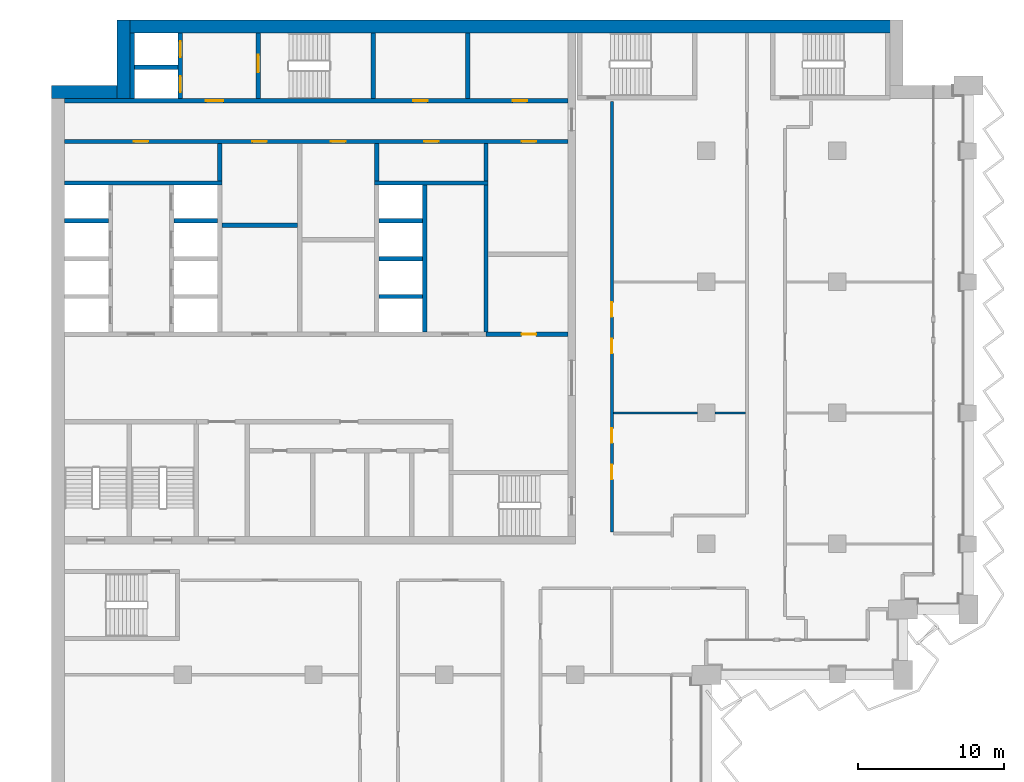
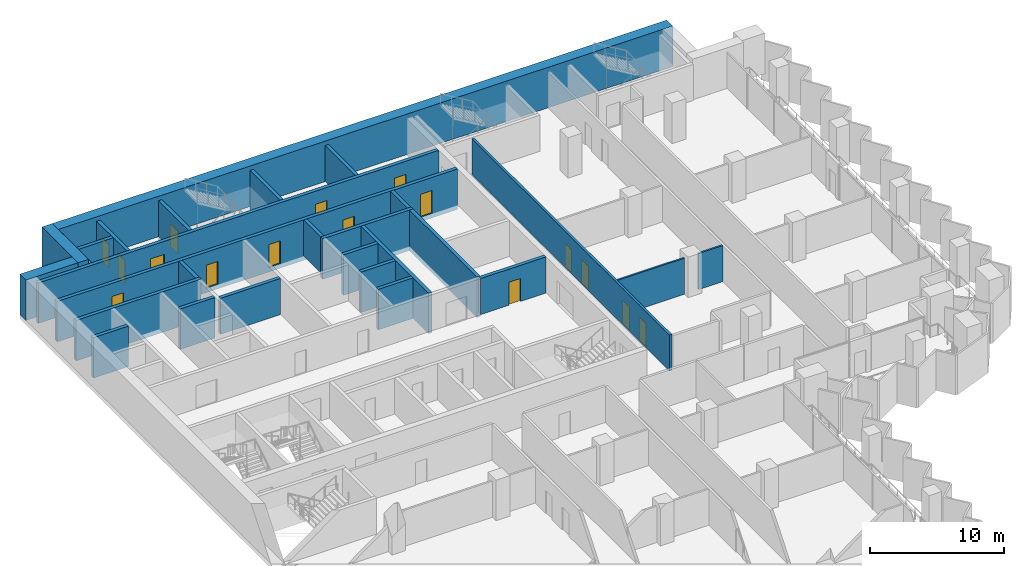
# One storey, part 14 of 23: 28 walls, 16 doors, 16 openings.
"""IFC4 building model written with IfcOpenShell, lengths in metres."""

from ifc_helpers import new_model, si_unit, direction, frame, frame_2d, origin, place, context, subcontext, project, spatial, rectangle, extrude, material, layer, layer_set, type_object, element, fill, save


model = new_model("IFC4")

# Units and contexts
model_context = context("Model", 3, precision=1e-05, world=origin(), true_north=direction((0.0, 1.0)))
body_context = subcontext(model_context, "Body", "Model", "MODEL_VIEW")
ifc_project = project(units=[si_unit("LENGTHUNIT", "METRE"), si_unit("AREAUNIT", "SQUARE_METRE"), si_unit("VOLUMEUNIT", "CUBIC_METRE"), si_unit("PLANEANGLEUNIT", "RADIAN"), si_unit("MASSUNIT", "GRAM", prefix="KILO")], contexts=[model_context])

# Site, building, storey
site_placement = place(None, origin())
site = spatial("IfcSite", under=ifc_project, at=site_placement, CompositionType="ELEMENT")
building_placement = place(site_placement, origin())
building = spatial("IfcBuilding", under=site, at=building_placement, Name="Hunhe Ridgeline Campus", CompositionType="ELEMENT")
storey_placement = place(building_placement, frame((0.0, 0.0, 167.10009765625)))
storey = spatial("IfcBuildingStorey", under=building, at=storey_placement, Name="L42", CompositionType="ELEMENT", Elevation=167.10009765625)

# Wall, opening, door
ifc_material_1 = material(Name="Masonry concrete blockwork", Category="masonry")
ifc_layer_1 = layer(ifc_material_1, 0.300048828125)
ifc_layer_set_1 = layer_set([ifc_layer_1], Name="Core room partition 300 concrete block")
wall_type_1 = type_object("IfcWallType", Name="Core room partition 300 concrete block", PredefinedType="PARTITIONING", material=ifc_layer_set_1)
wall_1_placement = place(storey_placement, frame((29.85009765625, 77.39990234375, 0.0), z_axis=(0.0, 0.0, 1.0), x_axis=(1.0, 0.0, 0.0)))
wall_1 = element("IfcWall", 1, at=wall_1_placement, inside=storey, type_object=wall_type_1, Name="L42 core partition 13", PredefinedType="PARTITIONING", context=body_context, shape_type="SweptSolid", body=[
    extrude(rectangle(XDim=5.64990234375, YDim=0.300048828125, at=frame_2d((2.824951171875, 0.0))), origin(), (0.0, 0.0, 1.0), 3.2998046875),
])
opening_1_placement = place(wall_1_placement, frame((2.449951171875, 0.0, 0.0)))
opening_1 = element("IfcOpeningElement", 2, at=opening_1_placement, cuts=wall_1, Name="Opening CD32", PredefinedType="OPENING", context=body_context, shape_type="SweptSolid", body=[
    extrude(rectangle(XDim=1.0, YDim=2.10009765625, at=frame_2d((0.5, 1.050048828125))), frame((0.0, 0.14990234375, 0.0), z_axis=(0.0, -1.0, 0.0), x_axis=(1.0, 0.0, 0.0)), (0.0, 0.0, 1.0), 0.300048828125),
])
ifc_material_2 = material(Name="Solid core timber door leaf", Category="wood")
door_type_1 = type_object("IfcDoorType", Name="Timber door 1000x2100", OperationType="SINGLE_SWING_LEFT", PredefinedType="DOOR", material=ifc_material_2)
door_1_placement = place(opening_1_placement, origin())
door_1 = element("IfcDoor", 3, at=door_1_placement, inside=storey, type_object=door_type_1, Name="L42 door ES0", OperationType="SINGLE_SWING_LEFT", OverallHeight=2.10009765625, OverallWidth=1.0, PredefinedType="DOOR", context=body_context, shape_type="SweptSolid", body=[
    extrude(rectangle(XDim=1.0, YDim=2.10009765625, at=frame_2d((0.5, 1.050048828125))), frame((0.0, 0.02490234375, 0.0), z_axis=(0.0, -1.0, 0.0), x_axis=(1.0, 0.0, 0.0)), (0.0, 0.0, 1.0), 0.050048828125),
])
fill(opening_1, door_1)

# Walls
wall_2_placement = place(storey_placement, frame((11.699951171875, 84.89990234375, 0.0), z_axis=(0.0, 0.0, 1.0), x_axis=(1.0, 0.0, 0.0)))
element("IfcWall", 4, at=wall_2_placement, inside=storey, type_object=wall_type_1, Name="L42 core partition 22", PredefinedType="PARTITIONING", context=body_context, shape_type="SweptSolid", body=[
    extrude(rectangle(XDim=5.199951171875, YDim=0.300048828125, at=frame_2d((2.60009765625, 0.0))), origin(), (0.0, 0.0, 1.0), 3.2998046875),
])
for number, where, z_axis, x_axis, name in (
    (5, (11.550048828125, 87.949951171875, 0.0), (0.0, 0.0, 1.0), (0.0, 1.0, 0.0), "L42 core partition 42"),
    (6, (22.35009765625, 87.949951171875, 0.0), (0.0, 0.0, 1.0), (0.0, 1.0, 0.0), "L42 core partition 51"),
):
    element("IfcWall", number, at=place(storey_placement, frame(where, z_axis=z_axis, x_axis=x_axis)), inside=storey, type_object=wall_type_1, Name=name, PredefinedType="PARTITIONING", context=body_context, shape_type="SweptSolid", body=[
        extrude(rectangle(XDim=2.550048828125, YDim=0.300048828125, at=frame_2d((1.27490234375, 0.0))), origin(), (0.0, 0.0, 1.0), 3.2998046875),
    ])
wall_3_placement = place(storey_placement, frame((28.60009765625, 93.60009765625, 0.0), z_axis=(0.0, 0.0, 1.0), x_axis=(0.0, 1.0, 0.0)))
element("IfcWall", 7, at=wall_3_placement, inside=storey, type_object=wall_type_1, Name="L42 core partition 57", PredefinedType="PARTITIONING", context=body_context, shape_type="SweptSolid", body=[
    extrude(rectangle(XDim=4.5, YDim=0.300048828125, at=frame_2d((2.25, 0.0))), origin(), (0.0, 0.0, 1.0), 3.2998046875),
])
wall_4_placement = place(storey_placement, frame((29.85009765625, 87.949951171875, 0.0), z_axis=(0.0, 0.0, 1.0), x_axis=(0.0, 1.0, 0.0)))
element("IfcWall", 8, at=wall_4_placement, inside=storey, type_object=wall_type_1, Name="L42 core partition 59", PredefinedType="PARTITIONING", context=body_context, shape_type="SweptSolid", body=[
    extrude(rectangle(XDim=2.550048828125, YDim=0.300048828125, at=frame_2d((1.27490234375, 0.0))), origin(), (0.0, 0.0, 1.0), 3.2998046875),
])

# Wall, openings, doors
ifc_material_3 = material(Name="Gypsum board partition")
ifc_layer_2 = layer(ifc_material_3, 0.199951171875)
ifc_layer_set_2 = layer_set([ifc_layer_2], Name="Corridor partition 200 gypsum board on steel studs")
wall_type_2 = type_object("IfcWallType", Name="Corridor partition 200 gypsum board on steel studs", PredefinedType="PARTITIONING", material=ifc_layer_set_2)
wall_5_placement = place(storey_placement, frame((38.5, 93.39599609375, 0.0), z_axis=(0.0, 0.0, 1.0), x_axis=(0.0, -1.0, 0.0)))
wall_5 = element("IfcWall", 9, at=wall_5_placement, inside=storey, type_object=wall_type_2, Name="F-L42-wall-074", PredefinedType="PARTITIONING", context=body_context, shape_type="SweptSolid", body=[
    extrude(rectangle(XDim=29.595947265625, YDim=0.199951171875, at=frame_2d((14.7978515625, 0.0))), origin(), (0.0, 0.0, 1.0), 3.2998046875),
])
opening_2_placement = place(wall_5_placement, frame((24.95751953125, 0.0, 0.0)))
opening_2 = element("IfcOpeningElement", 10, at=opening_2_placement, cuts=wall_5, Name="Opening RD1-028", PredefinedType="OPENING", context=body_context, shape_type="SweptSolid", body=[
    extrude(rectangle(XDim=1.0, YDim=2.10009765625, at=frame_2d((0.5, 1.050048828125))), frame((0.0, 0.10009765625, 0.0), z_axis=(0.0, -1.0, 0.0), x_axis=(1.0, 0.0, 0.0)), (0.0, 0.0, 1.0), 0.199951171875),
])
opening_3_placement = place(wall_5_placement, frame((22.45751953125, 0.0, 0.0)))
opening_3 = element("IfcOpeningElement", 11, at=opening_3_placement, cuts=wall_5, Name="Opening RD1-030", PredefinedType="OPENING", context=body_context, shape_type="SweptSolid", body=[
    extrude(rectangle(XDim=1.0, YDim=2.10009765625, at=frame_2d((0.5, 1.050048828125))), frame((0.0, 0.10009765625, 0.0), z_axis=(0.0, -1.0, 0.0), x_axis=(1.0, 0.0, 0.0)), (0.0, 0.0, 1.0), 0.199951171875),
])
opening_4_placement = place(wall_5_placement, frame((16.304443359375, 0.0, 0.0)))
opening_4 = element("IfcOpeningElement", 12, at=opening_4_placement, cuts=wall_5, Name="Opening RD1-032", PredefinedType="OPENING", context=body_context, shape_type="SweptSolid", body=[
    extrude(rectangle(XDim=1.0, YDim=2.10009765625, at=frame_2d((0.5, 1.050048828125))), frame((0.0, 0.10009765625, 0.0), z_axis=(0.0, -1.0, 0.0), x_axis=(1.0, 0.0, 0.0)), (0.0, 0.0, 1.0), 0.199951171875),
])
opening_5_placement = place(wall_5_placement, frame((13.804443359375, 0.0, 0.0)))
opening_5 = element("IfcOpeningElement", 13, at=opening_5_placement, cuts=wall_5, Name="Opening RD1-033", PredefinedType="OPENING", context=body_context, shape_type="SweptSolid", body=[
    extrude(rectangle(XDim=1.0, YDim=2.10009765625, at=frame_2d((0.5, 1.050048828125))), frame((0.0, 0.10009765625, 0.0), z_axis=(0.0, -1.0, 0.0), x_axis=(1.0, 0.0, 0.0)), (0.0, 0.0, 1.0), 0.199951171875),
])
ifc_material_4 = material(Name="Timber door leaf", Category="wood")
door_type_2 = type_object("IfcDoorType", Name="Single fire door 1000x2100 timber FD60", OperationType="NOTDEFINED", PredefinedType="DOOR", material=ifc_material_4)
door_2_placement = place(opening_2_placement, frame((1.0, 0.0, 0.0), z_axis=(0.0, 0.0, 1.0), x_axis=(-1.0, 0.0, 0.0)))
door_2 = element("IfcDoor", 14, at=door_2_placement, inside=storey, type_object=door_type_2, Name="F-L42-door-028", OperationType="SINGLE_SWING_LEFT", OverallHeight=2.10009765625, OverallWidth=1.0, PredefinedType="DOOR", context=body_context, shape_type="SweptSolid", body=[
    extrude(rectangle(XDim=1.0, YDim=2.10009765625, at=frame_2d((0.5, 1.050048828125))), frame((0.0, 0.02490234375, 0.0), z_axis=(0.0, -1.0, 0.0), x_axis=(1.0, 0.0, 0.0)), (0.0, 0.0, 1.0), 0.050048828125),
])
fill(opening_2, door_2)
door_3_placement = place(opening_3_placement, frame((1.0, 0.0, 0.0), z_axis=(0.0, 0.0, 1.0), x_axis=(-1.0, 0.0, 0.0)))
door_3 = element("IfcDoor", 15, at=door_3_placement, inside=storey, type_object=door_type_2, Name="F-L42-door-030", OperationType="SINGLE_SWING_RIGHT", OverallHeight=2.10009765625, OverallWidth=1.0, PredefinedType="DOOR", context=body_context, shape_type="SweptSolid", body=[
    extrude(rectangle(XDim=1.0, YDim=2.10009765625, at=frame_2d((0.5, 1.050048828125))), frame((0.0, 0.02490234375, 0.0), z_axis=(0.0, -1.0, 0.0), x_axis=(1.0, 0.0, 0.0)), (0.0, 0.0, 1.0), 0.050048828125),
])
fill(opening_3, door_3)
door_4_placement = place(opening_4_placement, frame((1.0, 0.0, 0.0), z_axis=(0.0, 0.0, 1.0), x_axis=(-1.0, 0.0, 0.0)))
door_4 = element("IfcDoor", 16, at=door_4_placement, inside=storey, type_object=door_type_2, Name="F-L42-door-032", OperationType="SINGLE_SWING_RIGHT", OverallHeight=2.10009765625, OverallWidth=1.0, PredefinedType="DOOR", context=body_context, shape_type="SweptSolid", body=[
    extrude(rectangle(XDim=1.0, YDim=2.10009765625, at=frame_2d((0.5, 1.050048828125))), frame((0.0, 0.02490234375, 0.0), z_axis=(0.0, -1.0, 0.0), x_axis=(1.0, 0.0, 0.0)), (0.0, 0.0, 1.0), 0.050048828125),
])
fill(opening_4, door_4)
door_5_placement = place(opening_5_placement, frame((1.0, 0.0, 0.0), z_axis=(0.0, 0.0, 1.0), x_axis=(-1.0, 0.0, 0.0)))
door_5 = element("IfcDoor", 17, at=door_5_placement, inside=storey, type_object=door_type_2, Name="F-L42-door-033", OperationType="SINGLE_SWING_RIGHT", OverallHeight=2.10009765625, OverallWidth=1.0, PredefinedType="DOOR", context=body_context, shape_type="SweptSolid", body=[
    extrude(rectangle(XDim=1.0, YDim=2.10009765625, at=frame_2d((0.5, 1.050048828125))), frame((0.0, 0.02490234375, 0.0), z_axis=(0.0, -1.0, 0.0), x_axis=(1.0, 0.0, 0.0)), (0.0, 0.0, 1.0), 0.050048828125),
])
fill(opening_5, door_5)

ifc_material_5 = material(Name="Concrete C70", Category="concrete")
ifc_layer_3 = layer(ifc_material_5, 0.300048828125)
ifc_layer_set_3 = layer_set([ifc_layer_3], Name="Lobby wall 300 reinforced concrete C70")
wall_type_3 = type_object("IfcWallType", Name="Lobby wall 300 reinforced concrete C70", PredefinedType="SOLIDWALL", material=ifc_layer_set_3)
wall_6_placement = place(storey_placement, frame((0.89990234375, 90.64990234375, -0.400146484375), z_axis=(0.0, 0.0, 1.0), x_axis=(1.0, 0.0, 0.0)))
wall_6 = element("IfcWall", 18, at=wall_6_placement, inside=storey, type_object=wall_type_3, Name="L42 core wall 28", PredefinedType="SOLIDWALL", context=body_context, shape_type="SweptSolid", body=[
    extrude(rectangle(XDim=34.60009765625, YDim=0.300048828125, at=frame_2d((17.300048828125, 0.0))), origin(), (0.0, 0.0, 1.0), 3.699951171875),
])
opening_6_placement = place(wall_6_placement, frame((4.75, 0.0, 0.39990234375)))
opening_6 = element("IfcOpeningElement", 19, at=opening_6_placement, cuts=wall_6, Name="Opening CD26", PredefinedType="OPENING", context=body_context, shape_type="SweptSolid", body=[
    extrude(rectangle(XDim=1.0, YDim=2.10009765625, at=frame_2d((0.5, 1.050048828125))), frame((0.0, 0.14990234375, 0.0), z_axis=(0.0, -1.0, 0.0), x_axis=(1.0, 0.0, 0.0)), (0.0, 0.0, 1.0), 0.300048828125),
])
opening_7_placement = place(wall_6_placement, frame((24.699951171875, 0.0, 0.39990234375)))
opening_7 = element("IfcOpeningElement", 20, at=opening_7_placement, cuts=wall_6, Name="Opening CD27", PredefinedType="OPENING", context=body_context, shape_type="SweptSolid", body=[
    extrude(rectangle(XDim=1.0, YDim=2.10009765625, at=frame_2d((0.5, 1.050048828125))), frame((0.0, 0.14990234375, 0.0), z_axis=(0.0, -1.0, 0.0), x_axis=(1.0, 0.0, 0.0)), (0.0, 0.0, 1.0), 0.300048828125),
])
opening_8_placement = place(wall_6_placement, frame((12.89990234375, 0.0, 0.39990234375)))
opening_8 = element("IfcOpeningElement", 21, at=opening_8_placement, cuts=wall_6, Name="Opening CD29", PredefinedType="OPENING", context=body_context, shape_type="SweptSolid", body=[
    extrude(rectangle(XDim=1.0, YDim=2.10009765625, at=frame_2d((0.5, 1.050048828125))), frame((0.0, 0.14990234375, 0.0), z_axis=(0.0, -1.0, 0.0), x_axis=(1.0, 0.0, 0.0)), (0.0, 0.0, 1.0), 0.300048828125),
])
opening_9_placement = place(wall_6_placement, frame((18.300048828125, 0.0, 0.39990234375)))
opening_9 = element("IfcOpeningElement", 22, at=opening_9_placement, cuts=wall_6, Name="Opening CD31", PredefinedType="OPENING", context=body_context, shape_type="SweptSolid", body=[
    extrude(rectangle(XDim=1.0, YDim=2.10009765625, at=frame_2d((0.5, 1.050048828125))), frame((0.0, 0.14990234375, 0.0), z_axis=(0.0, -1.0, 0.0), x_axis=(1.0, 0.0, 0.0)), (0.0, 0.0, 1.0), 0.300048828125),
])
opening_10_placement = place(wall_6_placement, frame((31.39990234375, 0.0, 0.39990234375)))
opening_10 = element("IfcOpeningElement", 23, at=opening_10_placement, cuts=wall_6, Name="Opening CD33", PredefinedType="OPENING", context=body_context, shape_type="SweptSolid", body=[
    extrude(rectangle(XDim=1.0, YDim=2.10009765625, at=frame_2d((0.5, 1.050048828125))), frame((0.0, 0.14990234375, 0.0), z_axis=(0.0, -1.0, 0.0), x_axis=(1.0, 0.0, 0.0)), (0.0, 0.0, 1.0), 0.300048828125),
])
door_6_placement = place(opening_6_placement, frame((1.0, 0.0, 0.0), z_axis=(0.0, 0.0, 1.0), x_axis=(-1.0, 0.0, 0.0)))
door_6 = element("IfcDoor", 24, at=door_6_placement, inside=storey, type_object=door_type_1, Name="L42 door NR-0", OperationType="SINGLE_SWING_LEFT", OverallHeight=2.10009765625, OverallWidth=1.0, PredefinedType="DOOR", context=body_context, shape_type="SweptSolid", body=[
    extrude(rectangle(XDim=1.0, YDim=2.10009765625, at=frame_2d((0.5, 1.050048828125))), frame((0.0, 0.02490234375, 0.0), z_axis=(0.0, -1.0, 0.0), x_axis=(1.0, 0.0, 0.0)), (0.0, 0.0, 1.0), 0.050048828125),
])
fill(opening_6, door_6)
door_7_placement = place(opening_7_placement, frame((1.0, 0.0, 0.0), z_axis=(0.0, 0.0, 1.0), x_axis=(-1.0, 0.0, 0.0)))
door_7 = element("IfcDoor", 25, at=door_7_placement, inside=storey, type_object=door_type_1, Name="L42 door NR-1", OperationType="SINGLE_SWING_RIGHT", OverallHeight=2.10009765625, OverallWidth=1.0, PredefinedType="DOOR", context=body_context, shape_type="SweptSolid", body=[
    extrude(rectangle(XDim=1.0, YDim=2.10009765625, at=frame_2d((0.5, 1.050048828125))), frame((0.0, 0.02490234375, 0.0), z_axis=(0.0, -1.0, 0.0), x_axis=(1.0, 0.0, 0.0)), (0.0, 0.0, 1.0), 0.050048828125),
])
fill(opening_7, door_7)
door_8_placement = place(opening_8_placement, frame((1.0, 0.0, 0.0), z_axis=(0.0, 0.0, 1.0), x_axis=(-1.0, 0.0, 0.0)))
door_8 = element("IfcDoor", 26, at=door_8_placement, inside=storey, type_object=door_type_1, Name="L42 door VD-HR1", OperationType="SINGLE_SWING_RIGHT", OverallHeight=2.10009765625, OverallWidth=1.0, PredefinedType="DOOR", context=body_context, shape_type="SweptSolid", body=[
    extrude(rectangle(XDim=1.0, YDim=2.10009765625, at=frame_2d((0.5, 1.050048828125))), frame((0.0, 0.02490234375, 0.0), z_axis=(0.0, -1.0, 0.0), x_axis=(1.0, 0.0, 0.0)), (0.0, 0.0, 1.0), 0.050048828125),
])
fill(opening_8, door_8)
door_9_placement = place(opening_9_placement, frame((1.0, 0.0, 0.0), z_axis=(0.0, 0.0, 1.0), x_axis=(-1.0, 0.0, 0.0)))
door_9 = element("IfcDoor", 27, at=door_9_placement, inside=storey, type_object=door_type_1, Name="L42 door VD-HR3", OperationType="SINGLE_SWING_RIGHT", OverallHeight=2.10009765625, OverallWidth=1.0, PredefinedType="DOOR", context=body_context, shape_type="SweptSolid", body=[
    extrude(rectangle(XDim=1.0, YDim=2.10009765625, at=frame_2d((0.5, 1.050048828125))), frame((0.0, 0.02490234375, 0.0), z_axis=(0.0, -1.0, 0.0), x_axis=(1.0, 0.0, 0.0)), (0.0, 0.0, 1.0), 0.050048828125),
])
fill(opening_9, door_9)
door_10_placement = place(opening_10_placement, frame((1.0, 0.0, 0.0), z_axis=(0.0, 0.0, 1.0), x_axis=(-1.0, 0.0, 0.0)))
door_10 = element("IfcDoor", 28, at=door_10_placement, inside=storey, type_object=door_type_1, Name="L42 door ES1", OperationType="SINGLE_SWING_LEFT", OverallHeight=2.10009765625, OverallWidth=1.0, PredefinedType="DOOR", context=body_context, shape_type="SweptSolid", body=[
    extrude(rectangle(XDim=1.0, YDim=2.10009765625, at=frame_2d((0.5, 1.050048828125))), frame((0.0, 0.02490234375, 0.0), z_axis=(0.0, -1.0, 0.0), x_axis=(1.0, 0.0, 0.0)), (0.0, 0.0, 1.0), 0.050048828125),
])
fill(opening_10, door_10)

# Walls
wall_7_placement = place(storey_placement, frame((29.85009765625, 77.550048828125, -0.400146484375), z_axis=(0.0, 0.0, 1.0), x_axis=(0.0, 1.0, 0.0)))
element("IfcWall", 29, at=wall_7_placement, inside=storey, type_object=wall_type_3, Name="L42 core wall 58", PredefinedType="SOLIDWALL", context=body_context, shape_type="SweptSolid", body=[
    extrude(rectangle(XDim=10.099853515625, YDim=0.300048828125, at=frame_2d((5.0498046875, 0.0))), origin(), (0.0, 0.0, 1.0), 3.699951171875),
])
ifc_layer_4 = layer(ifc_material_3, 0.14990234375)
ifc_layer_set_4 = layer_set([ifc_layer_4], Name="Room partition 150 gypsum board on steel studs")
wall_type_4 = type_object("IfcWallType", Name="Room partition 150 gypsum board on steel studs", PredefinedType="PARTITIONING", material=ifc_layer_set_4)
wall_8_placement = place(storey_placement, frame((38.60009765625, 72.0, 0.0), z_axis=(0.0, 0.0, 1.0), x_axis=(1.0, 0.0, 0.0)))
element("IfcWall", 30, at=wall_8_placement, inside=storey, type_object=wall_type_4, Name="F-L42-wall-052", PredefinedType="PARTITIONING", context=body_context, shape_type="SweptSolid", body=[
    extrude(rectangle(XDim=5.7998046875, YDim=0.14990234375, at=frame_2d((2.89990234375, 0.0))), origin(), (0.0, 0.0, 1.0), 3.2998046875),
])
wall_9_placement = place(storey_placement, frame((45.60009765625, 72.0, 0.0), z_axis=(0.0, 0.0, 1.0), x_axis=(1.0, 0.0, 0.0)))
element("IfcWall", 31, at=wall_9_placement, inside=storey, type_object=wall_type_4, Name="F-L42-wall-053", PredefinedType="PARTITIONING", context=body_context, shape_type="SweptSolid", body=[
    extrude(rectangle(XDim=2.099853515625, YDim=0.14990234375, at=frame_2d((1.0498046875, 0.0))), origin(), (0.0, 0.0, 1.0), 3.2998046875),
])
ifc_layer_5 = layer(ifc_material_5, 0.300048828125)
ifc_layer_set_5 = layer_set([ifc_layer_5], Name="Shaft wall 300 reinforced concrete C70")
wall_type_5 = type_object("IfcWallType", Name="Shaft wall 300 reinforced concrete C70", PredefinedType="SOLIDWALL", material=ifc_layer_set_5)
for number, where, z_axis, x_axis, name in (
    (32, (22.5, 80.0, -0.400146484375), (0.0, 0.0, 1.0), (1.0, 0.0, 0.0), "L42 core wall 16"),
    (33, (22.5, 82.60009765625, -0.400146484375), (0.0, 0.0, 1.0), (1.0, 0.0, 0.0), "L42 core wall 19"),
    (34, (0.89990234375, 85.199951171875, -0.400146484375), (0.0, 0.0, 1.0), (1.0, 0.0, 0.0), "L42 core wall 23"),
    (35, (8.39990234375, 85.199951171875, -0.400146484375), (0.0, 0.0, 1.0), (1.0, 0.0, 0.0), "L42 core wall 24"),
    (36, (22.5, 85.199951171875, -0.400146484375), (0.0, 0.0, 1.0), (1.0, 0.0, 0.0), "L42 core wall 25"),
):
    element("IfcWall", number, at=place(storey_placement, frame(where, z_axis=z_axis, x_axis=x_axis)), inside=storey, type_object=wall_type_5, Name=name, PredefinedType="SOLIDWALL", context=body_context, shape_type="SweptSolid", body=[
        extrude(rectangle(XDim=3.0, YDim=0.300048828125, at=frame_2d((1.5, 0.0))), origin(), (0.0, 0.0, 1.0), 3.699951171875),
    ])
wall_10_placement = place(storey_placement, frame((0.89990234375, 87.800048828125, -0.400146484375), z_axis=(0.0, 0.0, 1.0), x_axis=(1.0, 0.0, 0.0)))
element("IfcWall", 37, at=wall_10_placement, inside=storey, type_object=wall_type_5, Name="L42 core wall 26", PredefinedType="SOLIDWALL", context=body_context, shape_type="SweptSolid", body=[
    extrude(rectangle(XDim=10.800048828125, YDim=0.300048828125, at=frame_2d((5.39990234375, 0.0))), origin(), (0.0, 0.0, 1.0), 3.699951171875),
])
wall_11_placement = place(storey_placement, frame((22.199951171875, 87.800048828125, -0.400146484375), z_axis=(0.0, 0.0, 1.0), x_axis=(1.0, 0.0, 0.0)))
element("IfcWall", 38, at=wall_11_placement, inside=storey, type_object=wall_type_5, Name="L42 core wall 27", PredefinedType="SOLIDWALL", context=body_context, shape_type="SweptSolid", body=[
    extrude(rectangle(XDim=7.800048828125, YDim=0.300048828125, at=frame_2d((3.89990234375, 0.0))), origin(), (0.0, 0.0, 1.0), 3.699951171875),
])

# Wall, openings, doors
wall_12_placement = place(storey_placement, frame((0.89990234375, 93.449951171875, -0.400146484375), z_axis=(0.0, 0.0, 1.0), x_axis=(1.0, 0.0, 0.0)))
wall_12 = element("IfcWall", 39, at=wall_12_placement, inside=storey, type_object=wall_type_5, Name="L42 core wall 29", PredefinedType="SOLIDWALL", context=body_context, shape_type="SweptSolid", body=[
    extrude(rectangle(XDim=34.60009765625, YDim=0.300048828125, at=frame_2d((17.300048828125, 0.0))), origin(), (0.0, 0.0, 1.0), 3.699951171875),
])
opening_11_placement = place(wall_12_placement, frame((9.699951171875, 0.0, 0.39990234375)))
opening_11 = element("IfcOpeningElement", 40, at=opening_11_placement, cuts=wall_12, Name="Opening CD3", PredefinedType="OPENING", context=body_context, shape_type="SweptSolid", body=[
    extrude(rectangle(XDim=1.199951171875, YDim=2.10009765625, at=frame_2d((0.60009765625, 1.050048828125))), frame((0.0, 0.14990234375, 0.0), z_axis=(0.0, -1.0, 0.0), x_axis=(1.0, 0.0, 0.0)), (0.0, 0.0, 1.0), 0.300048828125),
])
opening_12_placement = place(wall_12_placement, frame((23.949951171875, 0.0, 0.39990234375)))
opening_12 = element("IfcOpeningElement", 41, at=opening_12_placement, cuts=wall_12, Name="Opening CD34", PredefinedType="OPENING", context=body_context, shape_type="SweptSolid", body=[
    extrude(rectangle(XDim=1.0, YDim=2.10009765625, at=frame_2d((0.5, 1.050048828125))), frame((0.0, 0.14990234375, 0.0), z_axis=(0.0, -1.0, 0.0), x_axis=(1.0, 0.0, 0.0)), (0.0, 0.0, 1.0), 0.300048828125),
])
opening_13_placement = place(wall_12_placement, frame((30.77490234375, 0.0, 0.39990234375)))
opening_13 = element("IfcOpeningElement", 42, at=opening_13_placement, cuts=wall_12, Name="Opening CD35", PredefinedType="OPENING", context=body_context, shape_type="SweptSolid", body=[
    extrude(rectangle(XDim=1.0, YDim=2.10009765625, at=frame_2d((0.5, 1.050048828125))), frame((0.0, 0.14990234375, 0.0), z_axis=(0.0, -1.0, 0.0), x_axis=(1.0, 0.0, 0.0)), (0.0, 0.0, 1.0), 0.300048828125),
])
ifc_material_6 = material(Name="Hollow metal fire door leaf")
door_type_3 = type_object("IfcDoorType", Name="Lobby door 1200x2100 FD60", OperationType="SINGLE_SWING_LEFT", PredefinedType="DOOR", material=ifc_material_6)
door_11_placement = place(opening_11_placement, frame((1.199951171875, 0.0, 0.0), z_axis=(0.0, 0.0, 1.0), x_axis=(-1.0, 0.0, 0.0)))
door_11 = element("IfcDoor", 43, at=door_11_placement, inside=storey, type_object=door_type_3, Name="L42 door FF-C1", OperationType="SINGLE_SWING_LEFT", OverallHeight=2.10009765625, OverallWidth=1.199951171875, PredefinedType="DOOR", context=body_context, shape_type="SweptSolid", body=[
    extrude(rectangle(XDim=1.199951171875, YDim=2.10009765625, at=frame_2d((0.60009765625, 1.050048828125))), frame((0.0, 0.02490234375, 0.0), z_axis=(0.0, -1.0, 0.0), x_axis=(1.0, 0.0, 0.0)), (0.0, 0.0, 1.0), 0.050048828125),
])
fill(opening_11, door_11)
door_12_placement = place(opening_12_placement, origin())
door_12 = element("IfcDoor", 44, at=door_12_placement, inside=storey, type_object=door_type_1, Name="L42 door NB0", OperationType="SINGLE_SWING_LEFT", OverallHeight=2.10009765625, OverallWidth=1.0, PredefinedType="DOOR", context=body_context, shape_type="SweptSolid", body=[
    extrude(rectangle(XDim=1.0, YDim=2.10009765625, at=frame_2d((0.5, 1.050048828125))), frame((0.0, 0.02490234375, 0.0), z_axis=(0.0, -1.0, 0.0), x_axis=(1.0, 0.0, 0.0)), (0.0, 0.0, 1.0), 0.050048828125),
])
fill(opening_12, door_12)
door_13_placement = place(opening_13_placement, origin())
door_13 = element("IfcDoor", 45, at=door_13_placement, inside=storey, type_object=door_type_1, Name="L42 door NB1", OperationType="SINGLE_SWING_RIGHT", OverallHeight=2.10009765625, OverallWidth=1.0, PredefinedType="DOOR", context=body_context, shape_type="SweptSolid", body=[
    extrude(rectangle(XDim=1.0, YDim=2.10009765625, at=frame_2d((0.5, 1.050048828125))), frame((0.0, 0.02490234375, 0.0), z_axis=(0.0, -1.0, 0.0), x_axis=(1.0, 0.0, 0.0)), (0.0, 0.0, 1.0), 0.050048828125),
])
fill(opening_13, door_13)

# Walls
wall_13_placement = place(storey_placement, frame((5.699951171875, 95.75, -0.400146484375), z_axis=(0.0, 0.0, 1.0), x_axis=(1.0, 0.0, 0.0)))
element("IfcWall", 46, at=wall_13_placement, inside=storey, type_object=wall_type_5, Name="L42 core wall 32", PredefinedType="SOLIDWALL", context=body_context, shape_type="SweptSolid", body=[
    extrude(rectangle(XDim=3.0, YDim=0.300048828125, at=frame_2d((1.5, 0.0))), origin(), (0.0, 0.0, 1.0), 3.699951171875),
])
wall_14_placement = place(storey_placement, frame((5.550048828125, 93.60009765625, -0.400146484375), z_axis=(0.0, 0.0, 1.0), x_axis=(0.0, 1.0, 0.0)))
element("IfcWall", 47, at=wall_14_placement, inside=storey, type_object=wall_type_5, Name="L42 core wall 35", PredefinedType="SOLIDWALL", context=body_context, shape_type="SweptSolid", body=[
    extrude(rectangle(XDim=4.5, YDim=0.300048828125, at=frame_2d((2.25, 0.0))), origin(), (0.0, 0.0, 1.0), 3.699951171875),
])

# Wall, openings, doors
wall_15_placement = place(storey_placement, frame((8.85009765625, 93.60009765625, -0.400146484375), z_axis=(0.0, 0.0, 1.0), x_axis=(0.0, 1.0, 0.0)))
wall_15 = element("IfcWall", 48, at=wall_15_placement, inside=storey, type_object=wall_type_5, Name="L42 core wall 39", PredefinedType="SOLIDWALL", context=body_context, shape_type="SweptSolid", body=[
    extrude(rectangle(XDim=4.5, YDim=0.300048828125, at=frame_2d((2.25, 0.0))), origin(), (0.0, 0.0, 1.0), 3.699951171875),
])
opening_14_placement = place(wall_15_placement, frame((0.449951171875, 0.0, 0.39990234375)))
opening_14 = element("IfcOpeningElement", 49, at=opening_14_placement, cuts=wall_15, Name="Opening LD-FF1", PredefinedType="OPENING", context=body_context, shape_type="SweptSolid", body=[
    extrude(rectangle(XDim=1.10009765625, YDim=2.10009765625, at=frame_2d((0.550048828125, 1.050048828125))), frame((0.0, 0.14990234375, 0.0), z_axis=(0.0, -1.0, 0.0), x_axis=(1.0, 0.0, 0.0)), (0.0, 0.0, 1.0), 0.300048828125),
])
opening_15_placement = place(wall_15_placement, frame((2.85009765625, 0.0, 0.39990234375)))
opening_15 = element("IfcOpeningElement", 50, at=opening_15_placement, cuts=wall_15, Name="Opening LD-FF2", PredefinedType="OPENING", context=body_context, shape_type="SweptSolid", body=[
    extrude(rectangle(XDim=1.10009765625, YDim=2.10009765625, at=frame_2d((0.550048828125, 1.050048828125))), frame((0.0, 0.14990234375, 0.0), z_axis=(0.0, -1.0, 0.0), x_axis=(1.0, 0.0, 0.0)), (0.0, 0.0, 1.0), 0.300048828125),
])
ifc_material_7 = material(Name="Stainless steel sliding leaves", Category="steel")
door_type_4 = type_object("IfcDoorType", Name="Landing door 1100x2100 FD120", OperationType="SLIDING_TO_LEFT", PredefinedType="DOOR", material=ifc_material_7)
door_14_placement = place(opening_14_placement, origin())
door_14 = element("IfcDoor", 51, at=door_14_placement, inside=storey, type_object=door_type_4, Name="L42 landing door FF1", OperationType="SLIDING_TO_RIGHT", OverallHeight=2.10009765625, OverallWidth=1.10009765625, PredefinedType="DOOR", context=body_context, shape_type="SweptSolid", body=[
    extrude(rectangle(XDim=1.10009765625, YDim=2.10009765625, at=frame_2d((0.550048828125, 1.050048828125))), frame((0.0, 0.02490234375, 0.0), z_axis=(0.0, -1.0, 0.0), x_axis=(1.0, 0.0, 0.0)), (0.0, 0.0, 1.0), 0.050048828125),
])
fill(opening_14, door_14)
door_15_placement = place(opening_15_placement, origin())
door_15 = element("IfcDoor", 52, at=door_15_placement, inside=storey, type_object=door_type_4, Name="L42 landing door FF2", OperationType="SLIDING_TO_LEFT", OverallHeight=2.10009765625, OverallWidth=1.10009765625, PredefinedType="DOOR", context=body_context, shape_type="SweptSolid", body=[
    extrude(rectangle(XDim=1.10009765625, YDim=2.10009765625, at=frame_2d((0.550048828125, 1.050048828125))), frame((0.0, 0.02490234375, 0.0), z_axis=(0.0, -1.0, 0.0), x_axis=(1.0, 0.0, 0.0)), (0.0, 0.0, 1.0), 0.050048828125),
])
fill(opening_15, door_15)

# Walls
wall_16_placement = place(storey_placement, frame((25.64990234375, 77.550048828125, -0.400146484375), z_axis=(0.0, 0.0, 1.0), x_axis=(0.0, 1.0, 0.0)))
element("IfcWall", 53, at=wall_16_placement, inside=storey, type_object=wall_type_5, Name="L42 core wall 54", PredefinedType="SOLIDWALL", context=body_context, shape_type="SweptSolid", body=[
    extrude(rectangle(XDim=10.099853515625, YDim=0.300048828125, at=frame_2d((5.0498046875, 0.0))), origin(), (0.0, 0.0, 1.0), 3.699951171875),
])
ifc_layer_6 = layer(ifc_material_5, 0.89990234375)
ifc_layer_set_6 = layer_set([ifc_layer_6], Name="Spine wall 900 Concrete C70")
wall_type_6 = type_object("IfcWallType", Name="Spine wall 900 Concrete C70", PredefinedType="SHEAR", material=ifc_layer_set_6)
wall_17_placement = place(storey_placement, frame((58.5, 98.550048828125, 0.0), z_axis=(0.0, 0.0, 1.0), x_axis=(-1.0, 0.0, 0.0)))
element("IfcWall", 54, at=wall_17_placement, inside=storey, type_object=wall_type_6, Name="Spine wall SW2-4 L42", PredefinedType="SHEAR", context=body_context, shape_type="SweptSolid", body=[
    extrude(rectangle(XDim=54.0, YDim=0.89990234375, at=frame_2d((27.0, 0.0))), origin(), (0.0, 0.0, 1.0), 3.699951171875),
])
for number, where, z_axis, x_axis, name in (
    (55, (4.949951171875, 99.0, 0.0), (0.0, 0.0, 1.0), (0.0, -1.0, 0.0), "Spine wall SW2-5 L42"),
    (56, (5.400146484375, 94.050048828125, 0.0), (0.0, 0.0, 1.0), (-1.0, 0.0, 0.0), "Spine wall SW2-6 L42"),
):
    element("IfcWall", number, at=place(storey_placement, frame(where, z_axis=z_axis, x_axis=x_axis)), inside=storey, type_object=wall_type_6, Name=name, PredefinedType="SHEAR", context=body_context, shape_type="SweptSolid", body=[
        extrude(rectangle(XDim=5.400146484375, YDim=0.89990234375, at=frame_2d((2.7001953125, 0.0))), origin(), (0.0, 0.0, 1.0), 3.699951171875),
    ])

# Wall, opening, door
ifc_layer_7 = layer(ifc_material_5, 0.300048828125)
ifc_layer_set_7 = layer_set([ifc_layer_7], Name="Stair wall 300 reinforced concrete C70")
wall_type_7 = type_object("IfcWallType", Name="Stair wall 300 reinforced concrete C70", PredefinedType="SOLIDWALL", material=ifc_layer_set_7)
wall_18_placement = place(storey_placement, frame((14.199951171875, 93.60009765625, -0.400146484375), z_axis=(0.0, 0.0, 1.0), x_axis=(0.0, 1.0, 0.0)))
wall_18 = element("IfcWall", 57, at=wall_18_placement, inside=storey, type_object=wall_type_7, Name="L42 core wall 44", PredefinedType="SOLIDWALL", context=body_context, shape_type="SweptSolid", body=[
    extrude(rectangle(XDim=4.5, YDim=0.300048828125, at=frame_2d((2.25, 0.0))), origin(), (0.0, 0.0, 1.0), 3.699951171875),
])
opening_16_placement = place(wall_18_placement, frame((1.800048828125, 0.0, 0.39990234375)))
opening_16 = element("IfcOpeningElement", 58, at=opening_16_placement, cuts=wall_18, Name="Opening CD16", PredefinedType="OPENING", context=body_context, shape_type="SweptSolid", body=[
    extrude(rectangle(XDim=1.199951171875, YDim=2.10009765625, at=frame_2d((0.60009765625, 1.050048828125))), frame((0.0, 0.14990234375, 0.0), z_axis=(0.0, -1.0, 0.0), x_axis=(1.0, 0.0, 0.0)), (0.0, 0.0, 1.0), 0.300048828125),
])
door_type_5 = type_object("IfcDoorType", Name="Stair door 1200x2100 FD60", OperationType="SINGLE_SWING_LEFT", PredefinedType="DOOR", material=ifc_material_6)
door_16_placement = place(opening_16_placement, origin())
door_16 = element("IfcDoor", 59, at=door_16_placement, inside=storey, type_object=door_type_5, Name="L42 door S1-FF", OperationType="SINGLE_SWING_LEFT", OverallHeight=2.10009765625, OverallWidth=1.199951171875, PredefinedType="DOOR", context=body_context, shape_type="SweptSolid", body=[
    extrude(rectangle(XDim=1.199951171875, YDim=2.10009765625, at=frame_2d((0.60009765625, 1.050048828125))), frame((0.0, 0.02490234375, 0.0), z_axis=(0.0, -1.0, 0.0), x_axis=(1.0, 0.0, 0.0)), (0.0, 0.0, 1.0), 0.050048828125),
])
fill(opening_16, door_16)

# Wall
wall_19_placement = place(storey_placement, frame((22.10009765625, 93.60009765625, -0.400146484375), z_axis=(0.0, 0.0, 1.0), x_axis=(0.0, 1.0, 0.0)))
element("IfcWall", 60, at=wall_19_placement, inside=storey, type_object=wall_type_7, Name="L42 core wall 49", PredefinedType="SOLIDWALL", context=body_context, shape_type="SweptSolid", body=[
    extrude(rectangle(XDim=4.5, YDim=0.300048828125, at=frame_2d((2.25, 0.0))), origin(), (0.0, 0.0, 1.0), 3.699951171875),
])

save(model, "model.ifc")
